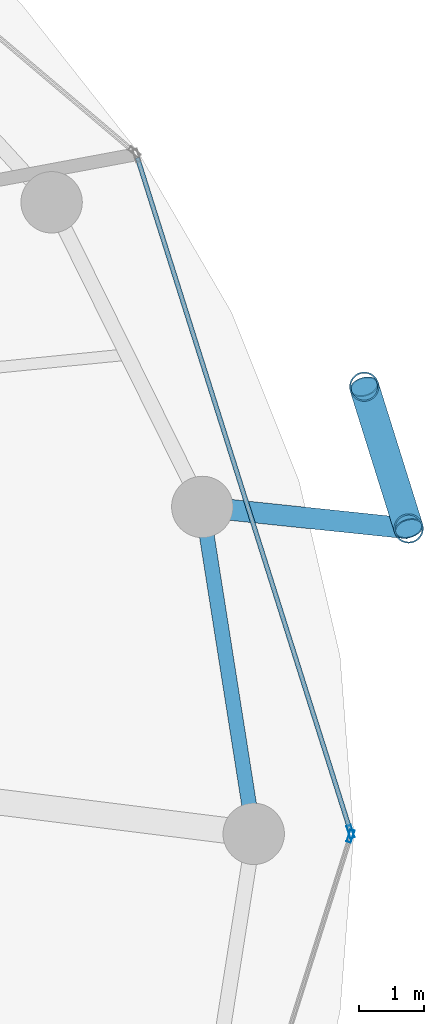
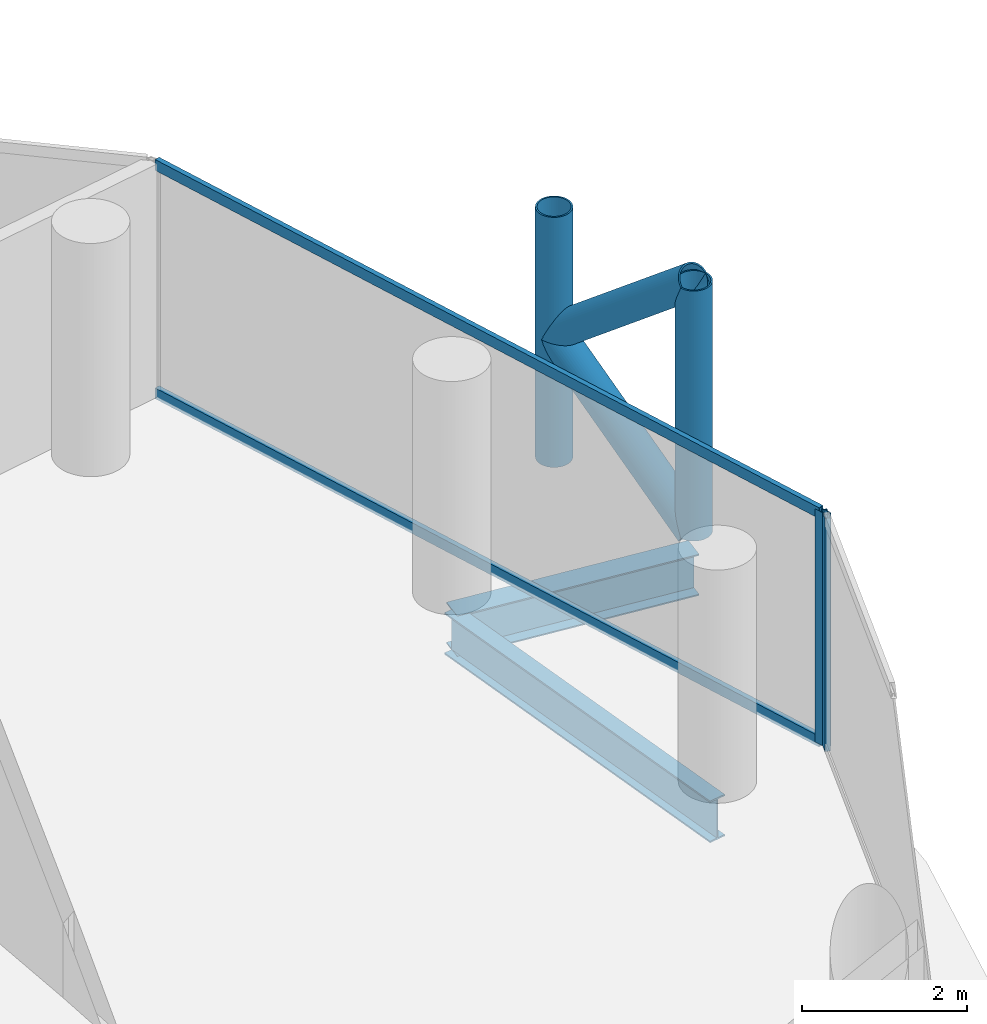
# One storey, part 12 of 26: 8 members, 2 beams, 2 elements without a shape of their own.
"""IFC4 building model written with IfcOpenShell, lengths in metres."""

from ifc_helpers import new_model, si_unit, direction, frame, origin, origin_2d, place, context, subcontext, project, spatial, hollow_rectangle, hollow_circle, i_section, extrude, material, layer, layer_set, material_profile, profile_set, type_object, element, aggregate, save


model = new_model("IFC4")

# Units and contexts
model_context = context("Model", 3, precision=1e-05, world=origin(), true_north=direction((0.0, 1.0)))
body_context = subcontext(model_context, "Body", "Model", "MODEL_VIEW")
ifc_project = project(units=[si_unit("LENGTHUNIT", "METRE"), si_unit("AREAUNIT", "SQUARE_METRE"), si_unit("VOLUMEUNIT", "CUBIC_METRE"), si_unit("PLANEANGLEUNIT", "RADIAN"), si_unit("MASSUNIT", "GRAM", prefix="KILO")], contexts=[model_context])

# Site, building, storey
site_placement = place(None, origin())
site = spatial("IfcSite", under=ifc_project, at=site_placement, CompositionType="ELEMENT")
building_placement = place(site_placement, origin())
building = spatial("IfcBuilding", under=site, at=building_placement, Name="Nuhasar Tower", CompositionType="ELEMENT")
storey_placement = place(building_placement, frame((0.0, 0.0, 162.64990234375)))
storey = spatial("IfcBuildingStorey", under=building, at=storey_placement, Name="L39", CompositionType="ELEMENT", Elevation=162.64990234375)

# Beams
ifc_material_1 = material(Name="Steel S355", Category="steel")
ifc_material_profile_1 = material_profile(ifc_material_1, i_section(OverallWidth=0.22998046875, OverallDepth=0.616943359375, WebThickness=0.01318359375, FlangeThickness=0.022216796875, at=origin_2d()), Name="W24X94")
ifc_profile_set_1 = profile_set([ifc_material_profile_1], Name="Steel S355")
beam_type_1 = type_object("IfcBeamType", Name="BM-RING-W24X94", PredefinedType="SPANDREL", material=ifc_profile_set_1)
beam_1_placement = place(storey_placement, frame((62.35009765625, 26.800048828125, -0.558837890625), z_axis=(-0.155426543608, 0.987847452566, 0.0), x_axis=(-0.987847452566, -0.155426543608, 0.0)))
element("IfcBeam", 1, at=beam_1_placement, inside=storey, type_object=beam_type_1, Name="L39 Perimeter Ring Spandrel 01", PredefinedType="SPANDREL", context=body_context, shape_type="SweptSolid", body=[
    extrude(i_section(OverallWidth=0.22998046875, OverallDepth=0.616943359375, WebThickness=0.01318359375, FlangeThickness=0.022216796875, at=origin_2d()), origin(), (0.0, 0.0, 1.0), 5.122314453125),
])
ifc_material_profile_2 = material_profile(ifc_material_1, i_section(OverallWidth=0.323974609375, OverallDepth=0.611083984375, WebThickness=0.0126953125, FlangeThickness=0.01904296875, at=origin_2d()), Name="W24X104")
ifc_profile_set_2 = profile_set([ifc_material_profile_2], Name="Steel S355")
beam_type_2 = type_object("IfcBeamType", Name="BM-TIE-W24X104", PredefinedType="BEAM", material=ifc_profile_set_2)
beam_2_placement = place(storey_placement, frame((61.553955078125, 31.860107421875, -0.554931640625), z_axis=(0.994569828715, -0.104071397654, 0.0), x_axis=(0.104071397654, 0.994569828715, 0.0)))
element("IfcBeam", 2, at=beam_2_placement, inside=storey, type_object=beam_type_2, Name="L39 Exoskeleton Node Tie Beam 01", PredefinedType="BEAM", context=body_context, shape_type="SweptSolid", body=[
    extrude(i_section(OverallWidth=0.323974609375, OverallDepth=0.611083984375, WebThickness=0.0126953125, FlangeThickness=0.01904296875, at=origin_2d()), origin(), (0.0, 0.0, 1.0), 3.21142578125),
])

# Curtain wall, member
ifc_material_2 = material(Name="Aluminium 6063-T6", Category="aluminium")
ifc_layer = layer(ifc_material_2, 0.199951171875)
ifc_layer_set = layer_set([ifc_layer], Name="Aluminium 6063-T6")
curtain_wall_type = type_object("IfcCurtainWallType", Name="CW-Z2-HTL", PredefinedType="NOTDEFINED", material=ifc_layer_set)
curtain_wall_1_placement = place(storey_placement, origin())
curtain_wall_1 = element("IfcCurtainWall", 3, at=curtain_wall_1_placement, inside=storey, type_object=curtain_wall_type, Name="L39 Unitised Curtain Wall 01", PredefinedType="NOTDEFINED")
ifc_material_profile_3 = material_profile(ifc_material_2, hollow_rectangle(XDim=0.070068359375, YDim=0.199951171875, WallThickness=0.0048828125, at=origin_2d()), Name="CWM-3")
ifc_profile_set_3 = profile_set([ifc_material_profile_3], Name="Aluminium 6063-T6")
member_type_1 = type_object("IfcMemberType", Name="CW-MUL-S3", PredefinedType="MULLION", material=ifc_profile_set_3)
member_1_placement = place(storey_placement, frame((63.849365234375, 26.833251953125, 0.0), z_axis=(0.0, 0.0, 1.0), x_axis=(-0.953433389233, -0.301603667577, 0.0)))
member_1 = element("IfcMember", 4, at=member_1_placement, type_object=member_type_1, Name="CW-Z2 mullion 1", PredefinedType="MULLION", context=body_context, shape_type="SweptSolid", body=[
    extrude(hollow_rectangle(XDim=0.070068359375, YDim=0.199951171875, WallThickness=0.0048828125, at=origin_2d()), origin(), (0.0, 0.0, 1.0), 3.4501953125),
])

curtain_wall_2_placement = place(storey_placement, origin())
curtain_wall_2 = element("IfcCurtainWall", 5, at=curtain_wall_2_placement, inside=storey, type_object=curtain_wall_type, Name="L39 Unitised Curtain Wall 12", PredefinedType="NOTDEFINED")
member_2_placement = place(storey_placement, frame((63.849365234375, 26.7666015625, 0.0), z_axis=(0.0, 0.0, 1.0), x_axis=(-0.953433389233, 0.301603667577, 0.0)))
member_2 = element("IfcMember", 6, at=member_2_placement, type_object=member_type_1, Name="CW-Z2 mullion 2", PredefinedType="MULLION", context=body_context, shape_type="SweptSolid", body=[
    extrude(hollow_rectangle(XDim=0.070068359375, YDim=0.199951171875, WallThickness=0.0048828125, at=origin_2d()), origin(), (0.0, 0.0, 1.0), 3.4501953125),
])
aggregate(curtain_wall_2, [member_2])

# Member
ifc_material_profile_4 = material_profile(ifc_material_2, hollow_rectangle(XDim=0.070068359375, YDim=0.159912109375, WallThickness=0.00439453125, at=origin_2d()), Name="CWT-3")
ifc_profile_set_4 = profile_set([ifc_material_profile_4], Name="Aluminium 6063-T6")
member_type_2 = type_object("IfcMemberType", Name="CW-TRN-S3", PredefinedType="USERDEFINED", material=ifc_profile_set_4)
member_3_placement = place(storey_placement, frame((63.8388671875, 26.86669921875, 0.03515625), z_axis=(-0.301608163352, 0.953431967053, 0.0), x_axis=(-0.953431967053, -0.301608163352, 0.0)))
member_3 = element("IfcMember", 7, at=member_3_placement, type_object=member_type_2, Name="CW-Z2 transom 1.1", ObjectType="TRANSOM", PredefinedType="USERDEFINED", context=body_context, shape_type="SweptSolid", body=[
    extrude(hollow_rectangle(XDim=0.070068359375, YDim=0.159912109375, WallThickness=0.00439453125, at=origin_2d()), origin(), (0.0, 0.0, 1.0), 10.904296875),
])

member_4_placement = place(storey_placement, frame((63.8388671875, 26.86669921875, 3.4150390625), z_axis=(-0.301608163352, 0.953431967053, 0.0), x_axis=(-0.953431967053, -0.301608163352, 0.0)))
member_4 = element("IfcMember", 8, at=member_4_placement, type_object=member_type_2, Name="CW-Z2 transom 1.2", ObjectType="TRANSOM", PredefinedType="USERDEFINED", context=body_context, shape_type="SweptSolid", body=[
    extrude(hollow_rectangle(XDim=0.070068359375, YDim=0.159912109375, WallThickness=0.00439453125, at=origin_2d()), origin(), (0.0, 0.0, 1.0), 10.904296875),
])

aggregate(curtain_wall_1, [member_1, member_3, member_4])

# Members
ifc_material_3 = material(Name="Steel S460", Category="steel")
ifc_material_profile_5 = material_profile(ifc_material_3, hollow_circle(Radius=0.228515625, WallThickness=0.022216796875, at=origin_2d()), Name="HSS457X22.2")
ifc_profile_set_5 = profile_set([ifc_material_profile_5], Name="Steel S460")
member_type_3 = type_object("IfcMemberType", Name="EXO-BRONZE-457", PredefinedType="BRACE", material=ifc_profile_set_5)
for number, where, z_axis, x_axis, name in (
    (9, (64.748046875, 31.52587890625, 0.0), (0.0, 0.0, 1.0), (1.0, 0.0, 0.0), "L39 Exoskeleton Chord Column EC-01A"),
    (10, (64.06005859375, 33.720947265625, 0.0), (0.0, 0.0, 1.0), (1.0, 0.0, 0.0), "L39 Exoskeleton Chord Column EC-01B"),
):
    element("IfcMember", number, at=place(storey_placement, frame(where, z_axis=z_axis, x_axis=x_axis)), inside=storey, type_object=member_type_3, Name=name, PredefinedType="BRACE", context=body_context, shape_type="SweptSolid", body=[
        extrude(hollow_circle(Radius=0.228515625, WallThickness=0.022216796875, at=origin_2d()), origin(), (0.0, 0.0, 1.0), 3.7001953125),
    ])
for number, where, z_axis, x_axis, name in (
    (11, (64.748046875, 31.52587890625, 0.0), (-0.233055548538, 0.743577869731, 0.626719285599), (-0.954228474306, -0.29907861646, 0.0), "L39 Bronze Diagrid Brace W1-01"),
    (12, (64.06005859375, 33.720947265625, 1.85009765625), (0.233055548538, -0.743577869731, 0.626719285599), (0.954228474306, 0.29907861646, 0.0), "L39 Bronze Diagrid Brace W2-01"),
):
    element("IfcMember", number, at=place(storey_placement, frame(where, z_axis=z_axis, x_axis=x_axis)), inside=storey, type_object=member_type_3, Name=name, PredefinedType="BRACE", context=body_context, shape_type="SweptSolid", body=[
        extrude(hollow_circle(Radius=0.228515625, WallThickness=0.022216796875, at=origin_2d()), origin(), (0.0, 0.0, 1.0), 2.9521484375),
    ])

save(model, "model.ifc")
